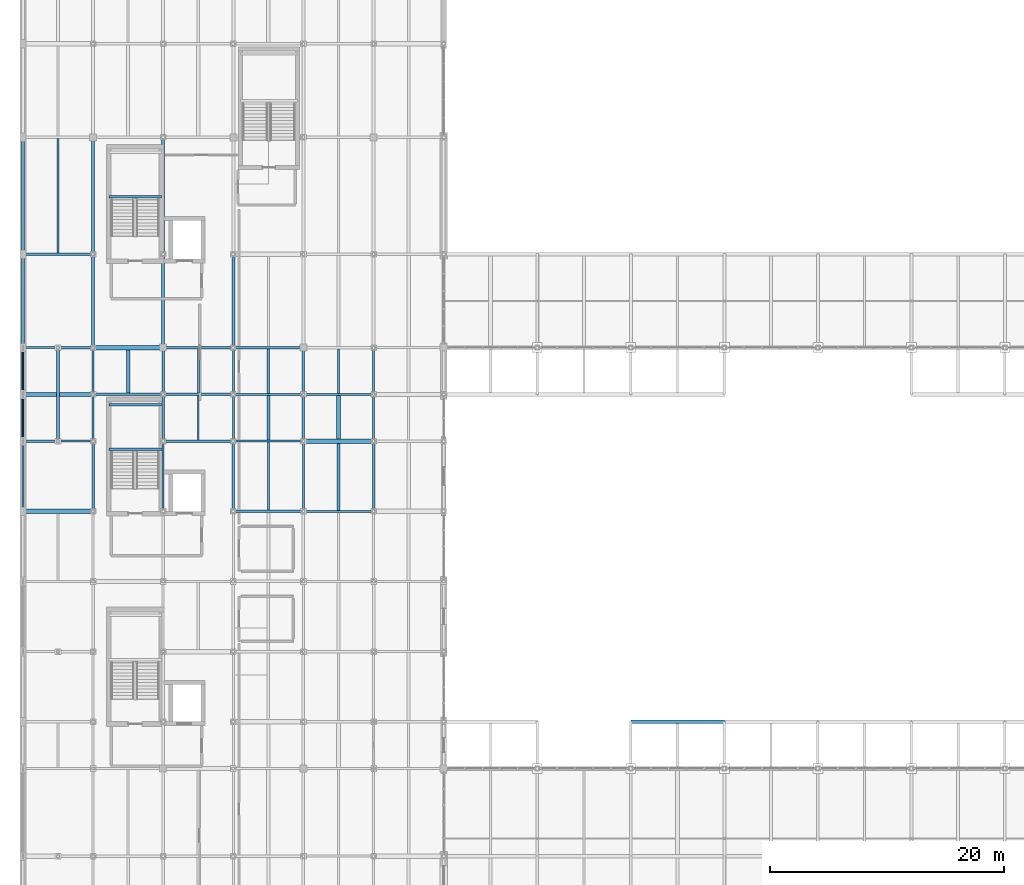
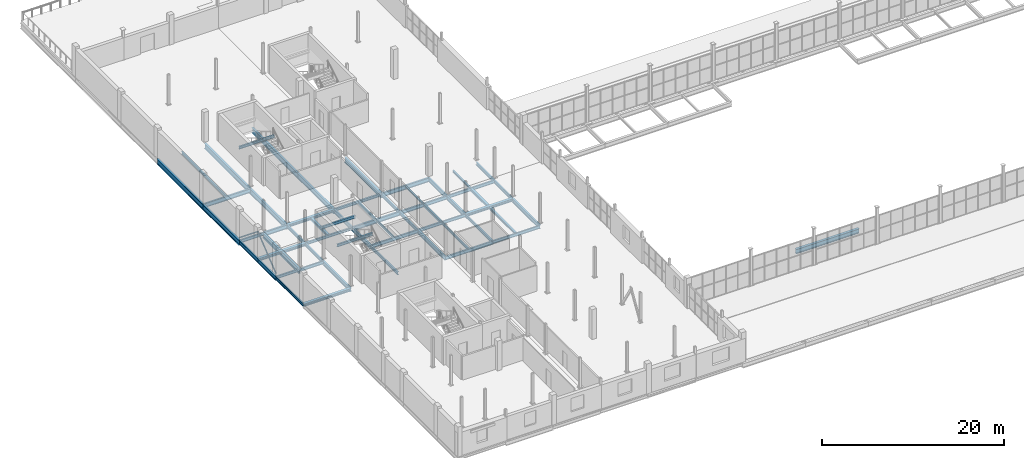
# One storey, part 28 of 96: 59 beams, 2 members.
"""IFC4 building model written with IfcOpenShell, lengths in metres."""

from ifc_helpers import new_model, si_unit, direction, frame, origin, origin_2d, place, context, subcontext, project, spatial, hollow_circle, i_section, extrude, material, material_profile, profile_set, type_object, element, save


model = new_model("IFC4")

# Units and contexts
model_context = context("Model", 3, precision=1e-05, world=origin(), true_north=direction((0.0, 1.0)))
body_context = subcontext(model_context, "Body", "Model", "MODEL_VIEW")
ifc_project = project(units=[si_unit("LENGTHUNIT", "METRE"), si_unit("AREAUNIT", "SQUARE_METRE"), si_unit("VOLUMEUNIT", "CUBIC_METRE"), si_unit("PLANEANGLEUNIT", "RADIAN"), si_unit("MASSUNIT", "GRAM", prefix="KILO")], contexts=[model_context])

# Site, building, storey
site_placement = place(None, origin())
site = spatial("IfcSite", under=ifc_project, at=site_placement, CompositionType="ELEMENT")
building_placement = place(site_placement, origin())
building = spatial("IfcBuilding", under=site, at=building_placement, Name="Verrall Gate Interchange", CompositionType="ELEMENT")
storey_placement = place(building_placement, frame((0.0, 0.0, 11.39990234375)))
storey = spatial("IfcBuildingStorey", under=building, at=storey_placement, Name="L03", CompositionType="ELEMENT", Elevation=11.39990234375)

# Beams
ifc_material_1 = material(Name="Structural Steel CSA G40.21 350WT Cat 4", Category="steel")
ifc_material_profile_1 = material_profile(ifc_material_1, i_section(OverallWidth=0.256103515625, OverallDepth=0.693115234375, WebThickness=0.01318359375, FlangeThickness=0.02001953125, FilletRadius=0.01611328125, at=origin_2d()), Name="W690x170")
ifc_profile_set_1 = profile_set([ifc_material_profile_1], Name="Structural Steel CSA G40.21 350WT Cat 4")
beam_type_1 = type_object("IfcBeamType", Name="B-07 Structural Beam W690x170", PredefinedType="BEAM", material=ifc_profile_set_1)
beam_1_placement = place(storey_placement, frame((0.0, 48.0, -0.676513671875), z_axis=(0.0, 1.0, 0.0), x_axis=(-1.0, 0.0, 0.0)))
element("IfcBeam", 1, at=beam_1_placement, inside=storey, type_object=beam_type_1, Name="L03 Girder BM-L03-2182 (B-07)", PredefinedType="BEAM", context=body_context, shape_type="SweptSolid", body=[
    extrude(i_section(OverallWidth=0.256103515625, OverallDepth=0.693115234375, WebThickness=0.01318359375, FlangeThickness=0.02001953125, FilletRadius=0.01611328125, at=origin_2d()), origin(), (0.0, 0.0, 1.0), 8.0),
])
beam_2_placement = place(storey_placement, frame((0.0, 56.0, -0.676513671875), z_axis=(0.0, 1.0, 0.0), x_axis=(-1.0, 0.0, 0.0)))
element("IfcBeam", 2, at=beam_2_placement, inside=storey, type_object=beam_type_1, Name="L03 Girder BM-L03-2183 (B-07)", PredefinedType="BEAM", context=body_context, shape_type="SweptSolid", body=[
    extrude(i_section(OverallWidth=0.256103515625, OverallDepth=0.693115234375, WebThickness=0.01318359375, FlangeThickness=0.02001953125, FilletRadius=0.01611328125, at=origin_2d()), origin(), (0.0, 0.0, 1.0), 10.0),
])
for number, where, z_axis, x_axis, name in (
    (3, (3.0, 40.0, -0.676513671875), (0.0, 1.0, 0.0), (-1.0, 0.0, 0.0), "L03 Girder BM-L03-2187 (B-07)"),
    (4, (6.0, 48.0, -0.676513671875), (0.0, 1.0, 0.0), (-1.0, 0.0, 0.0), "L03 Girder BM-L03-2197 (B-07)"),
):
    element("IfcBeam", number, at=place(storey_placement, frame(where, z_axis=z_axis, x_axis=x_axis)), inside=storey, type_object=beam_type_1, Name=name, PredefinedType="BEAM", context=body_context, shape_type="SweptSolid", body=[
        extrude(i_section(OverallWidth=0.256103515625, OverallDepth=0.693115234375, WebThickness=0.01318359375, FlangeThickness=0.02001953125, FilletRadius=0.01611328125, at=origin_2d()), origin(), (0.0, 0.0, 1.0), 8.0),
    ])
beam_3_placement = place(storey_placement, frame((6.0, 56.0, -0.676513671875), z_axis=(0.0, 1.0, 0.0), x_axis=(-1.0, 0.0, 0.0)))
element("IfcBeam", 5, at=beam_3_placement, inside=storey, type_object=beam_type_1, Name="L03 Girder BM-L03-2198 (B-07)", PredefinedType="BEAM", context=body_context, shape_type="SweptSolid", body=[
    extrude(i_section(OverallWidth=0.256103515625, OverallDepth=0.693115234375, WebThickness=0.01318359375, FlangeThickness=0.02001953125, FilletRadius=0.01611328125, at=origin_2d()), origin(), (0.0, 0.0, 1.0), 10.0),
])
beam_4_placement = place(storey_placement, frame((12.0, 48.0, -0.676513671875), z_axis=(0.0, 1.0, 0.0), x_axis=(-1.0, 0.0, 0.0)))
element("IfcBeam", 6, at=beam_4_placement, inside=storey, type_object=beam_type_1, Name="L03 Girder BM-L03-2211 (B-07)", PredefinedType="BEAM", context=body_context, shape_type="SweptSolid", body=[
    extrude(i_section(OverallWidth=0.256103515625, OverallDepth=0.693115234375, WebThickness=0.01318359375, FlangeThickness=0.02001953125, FilletRadius=0.01611328125, at=origin_2d()), origin(), (0.0, 0.0, 1.0), 8.0),
])
beam_5_placement = place(storey_placement, frame((12.0, 56.0, -0.676513671875), z_axis=(0.0, 1.0, 0.0), x_axis=(-1.0, 0.0, 0.0)))
element("IfcBeam", 7, at=beam_5_placement, inside=storey, type_object=beam_type_1, Name="L03 Girder BM-L03-2212 (B-07)", PredefinedType="BEAM", context=body_context, shape_type="SweptSolid", body=[
    extrude(i_section(OverallWidth=0.256103515625, OverallDepth=0.693115234375, WebThickness=0.01318359375, FlangeThickness=0.02001953125, FilletRadius=0.01611328125, at=origin_2d()), origin(), (0.0, 0.0, 1.0), 10.0),
])
beam_6_placement = place(storey_placement, frame((18.0, 48.0, -0.676513671875), z_axis=(0.0, 1.0, 0.0), x_axis=(-1.0, 0.0, 0.0)))
element("IfcBeam", 8, at=beam_6_placement, inside=storey, type_object=beam_type_1, Name="L03 Girder BM-L03-2225 (B-07)", PredefinedType="BEAM", context=body_context, shape_type="SweptSolid", body=[
    extrude(i_section(OverallWidth=0.256103515625, OverallDepth=0.693115234375, WebThickness=0.01318359375, FlangeThickness=0.02001953125, FilletRadius=0.01611328125, at=origin_2d()), origin(), (0.0, 0.0, 1.0), 8.0),
])
ifc_material_2 = material(Name="Structural Steel CSA G40.21 350WT Cat 4", Category="steel")
ifc_material_profile_2 = material_profile(ifc_material_2, i_section(OverallWidth=0.323974609375, OverallDepth=0.611083984375, WebThickness=0.0126953125, FlangeThickness=0.01904296875, FilletRadius=0.014892578125, at=origin_2d()), Name="W610x155")
ifc_profile_set_2 = profile_set([ifc_material_profile_2], Name="Structural Steel CSA G40.21 350WT Cat 4")
beam_type_2 = type_object("IfcBeamType", Name="B-08 Structural Beam W610x155", PredefinedType="BEAM", material=ifc_profile_set_2)
beam_7_placement = place(storey_placement, frame((52.0, 16.0, -0.635498046875), z_axis=(1.0, 0.0, 0.0), x_axis=(0.0, 1.0, 0.0)))
element("IfcBeam", 9, at=beam_7_placement, inside=storey, type_object=beam_type_2, Name="L03 Girder BM-L03-2032 (B-08)", PredefinedType="BEAM", context=body_context, shape_type="SweptSolid", body=[
    extrude(i_section(OverallWidth=0.323974609375, OverallDepth=0.611083984375, WebThickness=0.0126953125, FlangeThickness=0.01904296875, FilletRadius=0.014892578125, at=origin_2d()), origin(), (0.0, 0.0, 1.0), 8.0),
])
ifc_material_3 = material(Name="Structural Steel CSA G40.21 350W", Category="steel")
ifc_material_profile_3 = material_profile(ifc_material_3, i_section(OverallWidth=0.2109375, OverallDepth=0.5390625, WebThickness=0.01171875, FlangeThickness=0.018798828125, FilletRadius=0.013916015625, at=origin_2d()), Name="W530x109")
ifc_profile_set_3 = profile_set([ifc_material_profile_3], Name="Structural Steel CSA G40.21 350W")
beam_type_3 = type_object("IfcBeamType", Name="B-10 Structural Beam W530x109", PredefinedType="BEAM", material=ifc_profile_set_3)
beam_8_placement = place(storey_placement, frame((12.0, 44.0, -0.599365234375), z_axis=(1.0, 0.0, 0.0), x_axis=(0.0, 1.0, 0.0)))
element("IfcBeam", 10, at=beam_8_placement, inside=storey, type_object=beam_type_3, Name="L03 Girder BM-L03-2087 (B-10)", PredefinedType="BEAM", context=body_context, shape_type="SweptSolid", body=[
    extrude(i_section(OverallWidth=0.2109375, OverallDepth=0.5390625, WebThickness=0.01171875, FlangeThickness=0.018798828125, FilletRadius=0.013916015625, at=origin_2d()), origin(), (0.0, 0.0, 1.0), 6.0),
])
beam_9_placement = place(storey_placement, frame((3.0, 48.0, -0.599365234375), z_axis=(1.0, 0.0, 0.0), x_axis=(0.0, 1.0, 0.0)))
element("IfcBeam", 11, at=beam_9_placement, inside=storey, type_object=beam_type_3, Name="L03 Girder BM-L03-2104 (B-10)", PredefinedType="BEAM", context=body_context, shape_type="SweptSolid", body=[
    extrude(i_section(OverallWidth=0.2109375, OverallDepth=0.5390625, WebThickness=0.01171875, FlangeThickness=0.018798828125, FilletRadius=0.013916015625, at=origin_2d()), origin(), (0.0, 0.0, 1.0), 3.0),
])
for number, where, z_axis, x_axis, name in (
    (12, (18.0, 48.0, -0.599365234375), (1.0, 0.0, 0.0), (0.0, 1.0, 0.0), "L03 Girder BM-L03-2107 (B-10)"),
    (13, (0.0, 56.0, -0.599365234375), (1.0, 0.0, 0.0), (0.0, 1.0, 0.0), "L03 Girder BM-L03-2128 (B-10)"),
):
    element("IfcBeam", number, at=place(storey_placement, frame(where, z_axis=z_axis, x_axis=x_axis)), inside=storey, type_object=beam_type_3, Name=name, PredefinedType="BEAM", context=body_context, shape_type="SweptSolid", body=[
        extrude(i_section(OverallWidth=0.2109375, OverallDepth=0.5390625, WebThickness=0.01171875, FlangeThickness=0.018798828125, FilletRadius=0.013916015625, at=origin_2d()), origin(), (0.0, 0.0, 1.0), 6.0),
    ])
for number, where, z_axis, x_axis, name in (
    (14, (0.0, 40.0, -0.599365234375), (0.0, 1.0, 0.0), (-1.0, 0.0, 0.0), "L03 Girder BM-L03-2180 (B-10)"),
    (15, (0.0, 44.0, -0.599365234375), (0.0, 1.0, 0.0), (-1.0, 0.0, 0.0), "L03 Girder BM-L03-2181 (B-10)"),
):
    element("IfcBeam", number, at=place(storey_placement, frame(where, z_axis=z_axis, x_axis=x_axis)), inside=storey, type_object=beam_type_3, Name=name, PredefinedType="BEAM", context=body_context, shape_type="SweptSolid", body=[
        extrude(i_section(OverallWidth=0.2109375, OverallDepth=0.5390625, WebThickness=0.01171875, FlangeThickness=0.018798828125, FilletRadius=0.013916015625, at=origin_2d()), origin(), (0.0, 0.0, 1.0), 4.0),
    ])
beam_10_placement = place(storey_placement, frame((6.0, 34.0, -0.599365234375), z_axis=(0.0, 1.0, 0.0), x_axis=(-1.0, 0.0, 0.0)))
element("IfcBeam", 16, at=beam_10_placement, inside=storey, type_object=beam_type_3, Name="L03 Girder BM-L03-2194 (B-10)", PredefinedType="BEAM", context=body_context, shape_type="SweptSolid", body=[
    extrude(i_section(OverallWidth=0.2109375, OverallDepth=0.5390625, WebThickness=0.01171875, FlangeThickness=0.018798828125, FilletRadius=0.013916015625, at=origin_2d()), origin(), (0.0, 0.0, 1.0), 6.0),
])
for number, where, z_axis, x_axis, name in (
    (17, (12.0, 40.0, -0.599365234375), (0.0, 1.0, 0.0), (-1.0, 0.0, 0.0), "L03 Girder BM-L03-2209 (B-10)"),
    (18, (12.0, 44.0, -0.599365234375), (0.0, 1.0, 0.0), (-1.0, 0.0, 0.0), "L03 Girder BM-L03-2210 (B-10)"),
):
    element("IfcBeam", number, at=place(storey_placement, frame(where, z_axis=z_axis, x_axis=x_axis)), inside=storey, type_object=beam_type_3, Name=name, PredefinedType="BEAM", context=body_context, shape_type="SweptSolid", body=[
        extrude(i_section(OverallWidth=0.2109375, OverallDepth=0.5390625, WebThickness=0.01171875, FlangeThickness=0.018798828125, FilletRadius=0.013916015625, at=origin_2d()), origin(), (0.0, 0.0, 1.0), 4.0),
    ])
beam_11_placement = place(storey_placement, frame((18.0, 34.0, -0.599365234375), z_axis=(0.0, 1.0, 0.0), x_axis=(-1.0, 0.0, 0.0)))
element("IfcBeam", 19, at=beam_11_placement, inside=storey, type_object=beam_type_3, Name="L03 Girder BM-L03-2222 (B-10)", PredefinedType="BEAM", context=body_context, shape_type="SweptSolid", body=[
    extrude(i_section(OverallWidth=0.2109375, OverallDepth=0.5390625, WebThickness=0.01171875, FlangeThickness=0.018798828125, FilletRadius=0.013916015625, at=origin_2d()), origin(), (0.0, 0.0, 1.0), 6.0),
])
for number, where, z_axis, x_axis, name in (
    (20, (24.0, 40.0, -0.599365234375), (0.0, 1.0, 0.0), (-1.0, 0.0, 0.0), "L03 Girder BM-L03-2237 (B-10)"),
    (21, (24.0, 44.0, -0.599365234375), (0.0, 1.0, 0.0), (-1.0, 0.0, 0.0), "L03 Girder BM-L03-2238 (B-10)"),
):
    element("IfcBeam", number, at=place(storey_placement, frame(where, z_axis=z_axis, x_axis=x_axis)), inside=storey, type_object=beam_type_3, Name=name, PredefinedType="BEAM", context=body_context, shape_type="SweptSolid", body=[
        extrude(i_section(OverallWidth=0.2109375, OverallDepth=0.5390625, WebThickness=0.01171875, FlangeThickness=0.018798828125, FilletRadius=0.013916015625, at=origin_2d()), origin(), (0.0, 0.0, 1.0), 4.0),
    ])
beam_12_placement = place(storey_placement, frame((30.0, 34.0, -0.599365234375), z_axis=(0.0, 1.0, 0.0), x_axis=(-1.0, 0.0, 0.0)))
element("IfcBeam", 22, at=beam_12_placement, inside=storey, type_object=beam_type_3, Name="L03 Girder BM-L03-2250 (B-10)", PredefinedType="BEAM", context=body_context, shape_type="SweptSolid", body=[
    extrude(i_section(OverallWidth=0.2109375, OverallDepth=0.5390625, WebThickness=0.01171875, FlangeThickness=0.018798828125, FilletRadius=0.013916015625, at=origin_2d()), origin(), (0.0, 0.0, 1.0), 6.0),
])
ifc_material_4 = material(Name="Structural Steel CSA G40.21 350W", Category="steel")
ifc_material_profile_4 = material_profile(ifc_material_4, i_section(OverallWidth=0.19189453125, OverallDepth=0.462890625, WebThickness=0.010498046875, FlangeThickness=0.017578125, FilletRadius=0.012939453125, at=origin_2d()), Name="W460x89")
ifc_profile_set_4 = profile_set([ifc_material_profile_4], Name="Structural Steel CSA G40.21 350W")
beam_type_4 = type_object("IfcBeamType", Name="B-11 Structural Beam W460x89", PredefinedType="BEAM", material=ifc_profile_set_4)
for number, where, z_axis, x_axis, name in (
    (23, (18.0, 34.0, -0.5615234375), (1.0, 0.0, 0.0), (0.0, 1.0, 0.0), "L03 Girder BM-L03-2067 (B-11)"),
    (24, (12.0, 40.0, -0.5615234375), (1.0, 0.0, 0.0), (0.0, 1.0, 0.0), "L03 Girder BM-L03-2076 (B-11)"),
    (25, (18.0, 44.0, -0.5615234375), (1.0, 0.0, 0.0), (0.0, 1.0, 0.0), "L03 Girder BM-L03-2088 (B-11)"),
):
    element("IfcBeam", number, at=place(storey_placement, frame(where, z_axis=z_axis, x_axis=x_axis)), inside=storey, type_object=beam_type_4, Name=name, PredefinedType="BEAM", context=body_context, shape_type="SweptSolid", body=[
        extrude(i_section(OverallWidth=0.19189453125, OverallDepth=0.462890625, WebThickness=0.010498046875, FlangeThickness=0.017578125, FilletRadius=0.012939453125, at=origin_2d()), origin(), (0.0, 0.0, 1.0), 6.0),
    ])
ifc_material_5 = material(Name="Structural Steel CSA G40.21 350W", Category="steel")
ifc_material_profile_5 = material_profile(ifc_material_5, i_section(OverallWidth=0.178955078125, OverallDepth=0.409912109375, WebThickness=0.0087890625, FlangeThickness=0.014404296875, FilletRadius=0.011962890625, at=origin_2d()), Name="W410x67")
ifc_profile_set_5 = profile_set([ifc_material_profile_5], Name="Structural Steel CSA G40.21 350W")
beam_type_5 = type_object("IfcBeamType", Name="B-12 Structural Beam W410x67", PredefinedType="BEAM", material=ifc_profile_set_5)
beam_13_placement = place(storey_placement, frame((24.0, 34.0, -0.534912109375), z_axis=(1.0, 0.0, 0.0), x_axis=(0.0, 1.0, 0.0)))
element("IfcBeam", 26, at=beam_13_placement, inside=storey, type_object=beam_type_5, Name="L03 Girder BM-L03-2068 (B-12)", PredefinedType="BEAM", context=body_context, shape_type="SweptSolid", body=[
    extrude(i_section(OverallWidth=0.178955078125, OverallDepth=0.409912109375, WebThickness=0.0087890625, FlangeThickness=0.014404296875, FilletRadius=0.011962890625, at=origin_2d()), origin(), (0.0, 0.0, 1.0), 6.0),
])
beam_14_placement = place(storey_placement, frame((3.0, 40.0, -0.534912109375), z_axis=(1.0, 0.0, 0.0), x_axis=(0.0, 1.0, 0.0)))
element("IfcBeam", 27, at=beam_14_placement, inside=storey, type_object=beam_type_5, Name="L03 Girder BM-L03-2075 (B-12)", PredefinedType="BEAM", context=body_context, shape_type="SweptSolid", body=[
    extrude(i_section(OverallWidth=0.178955078125, OverallDepth=0.409912109375, WebThickness=0.0087890625, FlangeThickness=0.014404296875, FilletRadius=0.011962890625, at=origin_2d()), origin(), (0.0, 0.0, 1.0), 3.0),
])
for number, where, z_axis, x_axis, name in (
    (28, (18.0, 40.0, -0.534912109375), (1.0, 0.0, 0.0), (0.0, 1.0, 0.0), "L03 Girder BM-L03-2077 (B-12)"),
    (29, (24.0, 44.0, -0.534912109375), (1.0, 0.0, 0.0), (0.0, 1.0, 0.0), "L03 Girder BM-L03-2089 (B-12)"),
):
    element("IfcBeam", number, at=place(storey_placement, frame(where, z_axis=z_axis, x_axis=x_axis)), inside=storey, type_object=beam_type_5, Name=name, PredefinedType="BEAM", context=body_context, shape_type="SweptSolid", body=[
        extrude(i_section(OverallWidth=0.178955078125, OverallDepth=0.409912109375, WebThickness=0.0087890625, FlangeThickness=0.014404296875, FilletRadius=0.011962890625, at=origin_2d()), origin(), (0.0, 0.0, 1.0), 6.0),
    ])
beam_15_placement = place(storey_placement, frame((0.0, 48.0, -0.534912109375), z_axis=(1.0, 0.0, 0.0), x_axis=(0.0, 1.0, 0.0)))
element("IfcBeam", 30, at=beam_15_placement, inside=storey, type_object=beam_type_5, Name="L03 Girder BM-L03-2103 (B-12)", PredefinedType="BEAM", context=body_context, shape_type="SweptSolid", body=[
    extrude(i_section(OverallWidth=0.178955078125, OverallDepth=0.409912109375, WebThickness=0.0087890625, FlangeThickness=0.014404296875, FilletRadius=0.011962890625, at=origin_2d()), origin(), (0.0, 0.0, 1.0), 3.0),
])
beam_16_placement = place(storey_placement, frame((0.0, 34.0, -0.534912109375), z_axis=(0.0, 1.0, 0.0), x_axis=(-1.0, 0.0, 0.0)))
element("IfcBeam", 31, at=beam_16_placement, inside=storey, type_object=beam_type_5, Name="L03 Girder BM-L03-2179 (B-12)", PredefinedType="BEAM", context=body_context, shape_type="SweptSolid", body=[
    extrude(i_section(OverallWidth=0.178955078125, OverallDepth=0.409912109375, WebThickness=0.0087890625, FlangeThickness=0.014404296875, FilletRadius=0.011962890625, at=origin_2d()), origin(), (0.0, 0.0, 1.0), 6.0),
])
for number, where, z_axis, x_axis, name in (
    (32, (6.0, 40.0, -0.534912109375), (0.0, 1.0, 0.0), (-1.0, 0.0, 0.0), "L03 Girder BM-L03-2195 (B-12)"),
    (33, (6.0, 44.0, -0.534912109375), (0.0, 1.0, 0.0), (-1.0, 0.0, 0.0), "L03 Girder BM-L03-2196 (B-12)"),
):
    element("IfcBeam", number, at=place(storey_placement, frame(where, z_axis=z_axis, x_axis=x_axis)), inside=storey, type_object=beam_type_5, Name=name, PredefinedType="BEAM", context=body_context, shape_type="SweptSolid", body=[
        extrude(i_section(OverallWidth=0.178955078125, OverallDepth=0.409912109375, WebThickness=0.0087890625, FlangeThickness=0.014404296875, FilletRadius=0.011962890625, at=origin_2d()), origin(), (0.0, 0.0, 1.0), 4.0),
    ])
beam_17_placement = place(storey_placement, frame((12.0, 34.0, -0.534912109375), z_axis=(0.0, 1.0, 0.0), x_axis=(-1.0, 0.0, 0.0)))
element("IfcBeam", 34, at=beam_17_placement, inside=storey, type_object=beam_type_5, Name="L03 Girder BM-L03-2208 (B-12)", PredefinedType="BEAM", context=body_context, shape_type="SweptSolid", body=[
    extrude(i_section(OverallWidth=0.178955078125, OverallDepth=0.409912109375, WebThickness=0.0087890625, FlangeThickness=0.014404296875, FilletRadius=0.011962890625, at=origin_2d()), origin(), (0.0, 0.0, 1.0), 6.0),
])
for number, where, z_axis, x_axis, name in (
    (35, (18.0, 40.0, -0.534912109375), (0.0, 1.0, 0.0), (-1.0, 0.0, 0.0), "L03 Girder BM-L03-2223 (B-12)"),
    (36, (18.0, 44.0, -0.534912109375), (0.0, 1.0, 0.0), (-1.0, 0.0, 0.0), "L03 Girder BM-L03-2224 (B-12)"),
):
    element("IfcBeam", number, at=place(storey_placement, frame(where, z_axis=z_axis, x_axis=x_axis)), inside=storey, type_object=beam_type_5, Name=name, PredefinedType="BEAM", context=body_context, shape_type="SweptSolid", body=[
        extrude(i_section(OverallWidth=0.178955078125, OverallDepth=0.409912109375, WebThickness=0.0087890625, FlangeThickness=0.014404296875, FilletRadius=0.011962890625, at=origin_2d()), origin(), (0.0, 0.0, 1.0), 4.0),
    ])
beam_18_placement = place(storey_placement, frame((24.0, 34.0, -0.534912109375), z_axis=(0.0, 1.0, 0.0), x_axis=(-1.0, 0.0, 0.0)))
element("IfcBeam", 37, at=beam_18_placement, inside=storey, type_object=beam_type_5, Name="L03 Girder BM-L03-2236 (B-12)", PredefinedType="BEAM", context=body_context, shape_type="SweptSolid", body=[
    extrude(i_section(OverallWidth=0.178955078125, OverallDepth=0.409912109375, WebThickness=0.0087890625, FlangeThickness=0.014404296875, FilletRadius=0.011962890625, at=origin_2d()), origin(), (0.0, 0.0, 1.0), 6.0),
])
for number, where, z_axis, x_axis, name in (
    (38, (30.0, 40.0, -0.534912109375), (0.0, 1.0, 0.0), (-1.0, 0.0, 0.0), "L03 Girder BM-L03-2251 (B-12)"),
    (39, (30.0, 44.0, -0.534912109375), (0.0, 1.0, 0.0), (-1.0, 0.0, 0.0), "L03 Girder BM-L03-2252 (B-12)"),
):
    element("IfcBeam", number, at=place(storey_placement, frame(where, z_axis=z_axis, x_axis=x_axis)), inside=storey, type_object=beam_type_5, Name=name, PredefinedType="BEAM", context=body_context, shape_type="SweptSolid", body=[
        extrude(i_section(OverallWidth=0.178955078125, OverallDepth=0.409912109375, WebThickness=0.0087890625, FlangeThickness=0.014404296875, FilletRadius=0.011962890625, at=origin_2d()), origin(), (0.0, 0.0, 1.0), 4.0),
    ])
ifc_material_6 = material(Name="Structural Steel CSA G40.21 350W", Category="steel")
ifc_material_profile_6 = material_profile(ifc_material_6, i_section(OverallWidth=0.368896484375, OverallDepth=0.35595703125, WebThickness=0.01123046875, FlangeThickness=0.01806640625, FilletRadius=0.014892578125, at=origin_2d()), Name="W360x134")
ifc_profile_set_6 = profile_set([ifc_material_profile_6], Name="Structural Steel CSA G40.21 350W")
beam_type_6 = type_object("IfcBeamType", Name="B-13 Structural Beam W360x134", PredefinedType="BEAM", material=ifc_profile_set_6)
for number, where, z_axis, x_axis, name in (
    (40, (0.0, 34.0, -0.5078125), (1.0, 0.0, 0.0), (0.0, 1.0, 0.0), "L03 Girder BM-L03-2066 (B-13)"),
    (41, (24.0, 40.0, -0.5078125), (1.0, 0.0, 0.0), (0.0, 1.0, 0.0), "L03 Girder BM-L03-2078 (B-13)"),
    (42, (0.0, 44.0, -0.5078125), (1.0, 0.0, 0.0), (0.0, 1.0, 0.0), "L03 Girder BM-L03-2085 (B-13)"),
    (43, (6.0, 48.0, -0.5078125), (1.0, 0.0, 0.0), (0.0, 1.0, 0.0), "L03 Girder BM-L03-2105 (B-13)"),
):
    element("IfcBeam", number, at=place(storey_placement, frame(where, z_axis=z_axis, x_axis=x_axis)), inside=storey, type_object=beam_type_6, Name=name, PredefinedType="BEAM", context=body_context, shape_type="SweptSolid", body=[
        extrude(i_section(OverallWidth=0.368896484375, OverallDepth=0.35595703125, WebThickness=0.01123046875, FlangeThickness=0.01806640625, FilletRadius=0.014892578125, at=origin_2d()), origin(), (0.0, 0.0, 1.0), 6.0),
    ])
ifc_material_7 = material(Name="Structural Steel CSA G40.21 350W", Category="steel")
ifc_material_profile_7 = material_profile(ifc_material_7, i_section(OverallWidth=0.205078125, OverallDepth=0.35400390625, WebThickness=0.009521484375, FlangeThickness=0.016845703125, FilletRadius=0.012939453125, at=origin_2d()), Name="W360x79")
ifc_profile_set_7 = profile_set([ifc_material_profile_7], Name="Structural Steel CSA G40.21 350W")
beam_type_7 = type_object("IfcBeamType", Name="B-14 Structural Beam W360x79", PredefinedType="BEAM", material=ifc_profile_set_7)
beam_19_placement = place(storey_placement, frame((0.0, 40.0, -0.5068359375), z_axis=(1.0, 0.0, 0.0), x_axis=(0.0, 1.0, 0.0)))
element("IfcBeam", 44, at=beam_19_placement, inside=storey, type_object=beam_type_7, Name="L03 Girder BM-L03-2074 (B-14)", PredefinedType="BEAM", context=body_context, shape_type="SweptSolid", body=[
    extrude(i_section(OverallWidth=0.205078125, OverallDepth=0.35400390625, WebThickness=0.009521484375, FlangeThickness=0.016845703125, FilletRadius=0.012939453125, at=origin_2d()), origin(), (0.0, 0.0, 1.0), 3.0),
])
for number, where, z_axis, x_axis, name in (
    (45, (6.0, 44.0, -0.5068359375), (1.0, 0.0, 0.0), (0.0, 1.0, 0.0), "L03 Girder BM-L03-2086 (B-14)"),
    (46, (12.0, 48.0, -0.5068359375), (1.0, 0.0, 0.0), (0.0, 1.0, 0.0), "L03 Girder BM-L03-2106 (B-14)"),
):
    element("IfcBeam", number, at=place(storey_placement, frame(where, z_axis=z_axis, x_axis=x_axis)), inside=storey, type_object=beam_type_7, Name=name, PredefinedType="BEAM", context=body_context, shape_type="SweptSolid", body=[
        extrude(i_section(OverallWidth=0.205078125, OverallDepth=0.35400390625, WebThickness=0.009521484375, FlangeThickness=0.016845703125, FilletRadius=0.012939453125, at=origin_2d()), origin(), (0.0, 0.0, 1.0), 6.0),
    ])
for number, where, z_axis, x_axis, name in (
    (47, (7.35009765625, 39.31005859375, 1.630126953125), (1.0, 0.0, 0.0), (0.0, 1.0, 0.0), "L03 Core C2 Mid-Landing Beam 1"),
    (48, (7.35009765625, 43.1201171875, 1.630126953125), (1.0, 0.0, 0.0), (0.0, 1.0, 0.0), "L03 Core C2 Mid-Landing Beam 2"),
    (49, (7.35009765625, 60.909912109375, 1.630126953125), (1.0, 0.0, 0.0), (0.0, 1.0, 0.0), "L03 Core C3 Mid-Landing Beam 1"),
):
    element("IfcBeam", number, at=place(storey_placement, frame(where, z_axis=z_axis, x_axis=x_axis)), inside=storey, type_object=beam_type_7, Name=name, PredefinedType="BEAM", context=body_context, shape_type="SweptSolid", body=[
        extrude(i_section(OverallWidth=0.205078125, OverallDepth=0.35400390625, WebThickness=0.009521484375, FlangeThickness=0.016845703125, FilletRadius=0.012939453125, at=origin_2d()), origin(), (0.0, 0.0, 1.0), 4.5),
    ])

# Members
ifc_material_8 = material(Name="Structural Steel CSA G40.21 350W", Category="steel")
ifc_material_profile_8 = material_profile(ifc_material_8, hollow_circle(Radius=0.084228515625, WallThickness=0.00634765625, at=origin_2d()), Name="HSS168x6.4")
ifc_profile_set_8 = profile_set([ifc_material_profile_8], Name="Structural Steel CSA G40.21 350W")
member_type = type_object("IfcMemberType", Name="BR-03 Diagonal Brace HSS168x6.4", PredefinedType="BRACE", material=ifc_profile_set_8)
for number, where, z_axis, x_axis, name in (
    (50, (0.0, 40.0, 0.0), (0.0, 0.778944845992, 0.627092438882), (-1.0, 0.0, 0.0), "Chevron Brace CBF3 L03 Leg A"),
    (51, (0.0, 48.0, 0.0), (0.0, -0.778944845992, 0.627092438882), (1.0, 0.0, 0.0), "Chevron Brace CBF3 L03 Leg B"),
):
    element("IfcMember", number, at=place(storey_placement, frame(where, z_axis=z_axis, x_axis=x_axis)), inside=storey, type_object=member_type, Name=name, PredefinedType="BRACE", context=body_context, shape_type="SweptSolid", body=[
        extrude(hollow_circle(Radius=0.084228515625, WallThickness=0.00634765625, at=origin_2d()), origin(), (0.0, 0.0, 1.0), 5.13525390625),
    ])

# Beams
ifc_material_9 = material(Name="Structural Steel CSA G40.21 350W", Category="steel")
ifc_material_profile_9 = material_profile(ifc_material_9, i_section(OverallWidth=0.172119140625, OverallDepth=0.35791015625, WebThickness=0.0078125, FlangeThickness=0.01318359375, FilletRadius=0.010986328125, at=origin_2d()), Name="W360x57")
ifc_profile_set_9 = profile_set([ifc_material_profile_9], Name="Structural Steel CSA G40.21 350W")
beam_type_8 = type_object("IfcBeamType", Name="J-01 Floor Joist W360x57", PredefinedType="JOIST", material=ifc_profile_set_9)
beam_20_placement = place(storey_placement, frame((15.0, 44.10546875, -0.5087890625), z_axis=(0.0, 1.0, 0.0), x_axis=(-1.0, 0.0, 0.0)))
element("IfcBeam", 52, at=beam_20_placement, inside=storey, type_object=beam_type_8, Name="L03 Secondary Floor Joist JST-L03-2464", PredefinedType="JOIST", context=body_context, shape_type="SweptSolid", body=[
    extrude(i_section(OverallWidth=0.172119140625, OverallDepth=0.35791015625, WebThickness=0.0078125, FlangeThickness=0.01318359375, FilletRadius=0.010986328125, at=origin_2d()), origin(), (0.0, 0.0, 1.0), 3.7919921875),
])
beam_21_placement = place(storey_placement, frame((3.0, 56.10546875, -0.5087890625), z_axis=(0.0, 1.0, 0.0), x_axis=(-1.0, 0.0, 0.0)))
element("IfcBeam", 53, at=beam_21_placement, inside=storey, type_object=beam_type_8, Name="L03 Secondary Floor Joist JST-L03-2501", PredefinedType="JOIST", context=body_context, shape_type="SweptSolid", body=[
    extrude(i_section(OverallWidth=0.172119140625, OverallDepth=0.35791015625, WebThickness=0.0078125, FlangeThickness=0.01318359375, FilletRadius=0.010986328125, at=origin_2d()), origin(), (0.0, 0.0, 1.0), 9.7890625),
])
ifc_material_10 = material(Name="Structural Steel CSA G40.21 350W", Category="steel")
ifc_material_profile_10 = material_profile(ifc_material_10, i_section(OverallWidth=0.306884765625, OverallDepth=0.31396484375, WebThickness=0.011962890625, FlangeThickness=0.018798828125, FilletRadius=0.013916015625, at=origin_2d()), Name="W310x118")
ifc_profile_set_10 = profile_set([ifc_material_profile_10], Name="Structural Steel CSA G40.21 350W")
beam_type_9 = type_object("IfcBeamType", Name="J-02 Floor Joist W310x118", PredefinedType="JOIST", material=ifc_profile_set_10)
beam_22_placement = place(storey_placement, frame((27.0, 40.1845703125, -0.48681640625), z_axis=(0.0, 1.0, 0.0), x_axis=(-1.0, 0.0, 0.0)))
element("IfcBeam", 54, at=beam_22_placement, inside=storey, type_object=beam_type_9, Name="L03 Secondary Floor Joist JST-L03-2456", PredefinedType="JOIST", context=body_context, shape_type="SweptSolid", body=[
    extrude(i_section(OverallWidth=0.306884765625, OverallDepth=0.31396484375, WebThickness=0.011962890625, FlangeThickness=0.018798828125, FilletRadius=0.013916015625, at=origin_2d()), origin(), (0.0, 0.0, 1.0), 3.725830078125),
])
beam_23_placement = place(storey_placement, frame((9.0, 44.1025390625, -0.48681640625), z_axis=(0.0, 1.0, 0.0), x_axis=(-1.0, 0.0, 0.0)))
element("IfcBeam", 55, at=beam_23_placement, inside=storey, type_object=beam_type_9, Name="L03 Secondary Floor Joist JST-L03-2463", PredefinedType="JOIST", context=body_context, shape_type="SweptSolid", body=[
    extrude(i_section(OverallWidth=0.306884765625, OverallDepth=0.31396484375, WebThickness=0.011962890625, FlangeThickness=0.018798828125, FilletRadius=0.013916015625, at=origin_2d()), origin(), (0.0, 0.0, 1.0), 3.712890625),
])
ifc_material_11 = material(Name="Structural Steel CSA G40.21 350W", Category="steel")
ifc_material_profile_11 = material_profile(ifc_material_11, i_section(OverallWidth=0.25390625, OverallDepth=0.305908203125, WebThickness=0.0087890625, FlangeThickness=0.0146484375, FilletRadius=0.012939453125, at=origin_2d()), Name="W310x79")
ifc_profile_set_11 = profile_set([ifc_material_profile_11], Name="Structural Steel CSA G40.21 350W")
beam_type_10 = type_object("IfcBeamType", Name="J-03 Floor Joist W310x79", PredefinedType="JOIST", material=ifc_profile_set_11)
beam_24_placement = place(storey_placement, frame((27.0, 34.089599609375, -0.48291015625), z_axis=(0.0, 1.0, 0.0), x_axis=(-1.0, 0.0, 0.0)))
element("IfcBeam", 56, at=beam_24_placement, inside=storey, type_object=beam_type_10, Name="L03 Secondary Floor Joist JST-L03-2448", PredefinedType="JOIST", context=body_context, shape_type="SweptSolid", body=[
    extrude(i_section(OverallWidth=0.25390625, OverallDepth=0.305908203125, WebThickness=0.0087890625, FlangeThickness=0.0146484375, FilletRadius=0.012939453125, at=origin_2d()), origin(), (0.0, 0.0, 1.0), 5.725830078125),
])
beam_25_placement = place(storey_placement, frame((21.0, 40.089599609375, -0.48291015625), z_axis=(0.0, 1.0, 0.0), x_axis=(-1.0, 0.0, 0.0)))
element("IfcBeam", 57, at=beam_25_placement, inside=storey, type_object=beam_type_10, Name="L03 Secondary Floor Joist JST-L03-2455", PredefinedType="JOIST", context=body_context, shape_type="SweptSolid", body=[
    extrude(i_section(OverallWidth=0.25390625, OverallDepth=0.305908203125, WebThickness=0.0087890625, FlangeThickness=0.0146484375, FilletRadius=0.012939453125, at=origin_2d()), origin(), (0.0, 0.0, 1.0), 3.814453125),
])
ifc_material_12 = material(Name="Structural Steel CSA G40.21 350W", Category="steel")
ifc_material_profile_12 = material_profile(ifc_material_12, i_section(OverallWidth=0.1650390625, OverallDepth=0.31005859375, WebThickness=0.005859375, FlangeThickness=0.009765625, FilletRadius=0.010009765625, at=origin_2d()), Name="W310x39")
ifc_profile_set_12 = profile_set([ifc_material_profile_12], Name="Structural Steel CSA G40.21 350W")
beam_type_11 = type_object("IfcBeamType", Name="J-04 Floor Joist W310x39", PredefinedType="JOIST", material=ifc_profile_set_12)
beam_26_placement = place(storey_placement, frame((21.0, 34.095947265625, -0.48486328125), z_axis=(0.0, 1.0, 0.0), x_axis=(-1.0, 0.0, 0.0)))
element("IfcBeam", 58, at=beam_26_placement, inside=storey, type_object=beam_type_11, Name="L03 Secondary Floor Joist JST-L03-2447", PredefinedType="JOIST", context=body_context, shape_type="SweptSolid", body=[
    extrude(i_section(OverallWidth=0.1650390625, OverallDepth=0.31005859375, WebThickness=0.005859375, FlangeThickness=0.009765625, FilletRadius=0.010009765625, at=origin_2d()), origin(), (0.0, 0.0, 1.0), 5.814453125),
])
beam_27_placement = place(storey_placement, frame((15.0, 40.095947265625, -0.48486328125), z_axis=(0.0, 1.0, 0.0), x_axis=(-1.0, 0.0, 0.0)))
element("IfcBeam", 59, at=beam_27_placement, inside=storey, type_object=beam_type_11, Name="L03 Secondary Floor Joist JST-L03-2454", PredefinedType="JOIST", context=body_context, shape_type="SweptSolid", body=[
    extrude(i_section(OverallWidth=0.1650390625, OverallDepth=0.31005859375, WebThickness=0.005859375, FlangeThickness=0.009765625, FilletRadius=0.010009765625, at=origin_2d()), origin(), (0.0, 0.0, 1.0), 3.798583984375),
])
ifc_material_13 = material(Name="Structural Steel CSA G40.21 350W", Category="steel")
ifc_material_profile_13 = material_profile(ifc_material_13, i_section(OverallWidth=0.201904296875, OverallDepth=0.2470703125, WebThickness=0.00732421875, FlangeThickness=0.010986328125, FilletRadius=0.010986328125, at=origin_2d()), Name="W250x49")
ifc_profile_set_13 = profile_set([ifc_material_profile_13], Name="Structural Steel CSA G40.21 350W")
beam_type_12 = type_object("IfcBeamType", Name="J-06 Floor Joist W250x49", PredefinedType="JOIST", material=ifc_profile_set_13)
beam_28_placement = place(storey_placement, frame((27.0, 44.089599609375, -0.453369140625), z_axis=(0.0, 1.0, 0.0), x_axis=(-1.0, 0.0, 0.0)))
element("IfcBeam", 60, at=beam_28_placement, inside=storey, type_object=beam_type_12, Name="L03 Secondary Floor Joist JST-L03-2466", PredefinedType="JOIST", context=body_context, shape_type="SweptSolid", body=[
    extrude(i_section(OverallWidth=0.201904296875, OverallDepth=0.2470703125, WebThickness=0.00732421875, FlangeThickness=0.010986328125, FilletRadius=0.010986328125, at=origin_2d()), origin(), (0.0, 0.0, 1.0), 3.814453125),
])
ifc_material_14 = material(Name="Structural Steel CSA G40.21 350W", Category="steel")
ifc_material_profile_14 = material_profile(ifc_material_14, i_section(OverallWidth=0.202880859375, OverallDepth=0.202880859375, WebThickness=0.007080078125, FlangeThickness=0.010986328125, FilletRadius=0.010009765625, at=origin_2d()), Name="W200x46")
ifc_profile_set_14 = profile_set([ifc_material_profile_14], Name="Structural Steel CSA G40.21 350W")
beam_type_13 = type_object("IfcBeamType", Name="J-07 Floor Joist W200x46", PredefinedType="JOIST", material=ifc_profile_set_14)
beam_29_placement = place(storey_placement, frame((21.0, 44.095947265625, -0.431396484375), z_axis=(0.0, 1.0, 0.0), x_axis=(-1.0, 0.0, 0.0)))
element("IfcBeam", 61, at=beam_29_placement, inside=storey, type_object=beam_type_13, Name="L03 Secondary Floor Joist JST-L03-2465", PredefinedType="JOIST", context=body_context, shape_type="SweptSolid", body=[
    extrude(i_section(OverallWidth=0.202880859375, OverallDepth=0.202880859375, WebThickness=0.007080078125, FlangeThickness=0.010986328125, FilletRadius=0.010009765625, at=origin_2d()), origin(), (0.0, 0.0, 1.0), 3.798583984375),
])

save(model, "model.ifc")
